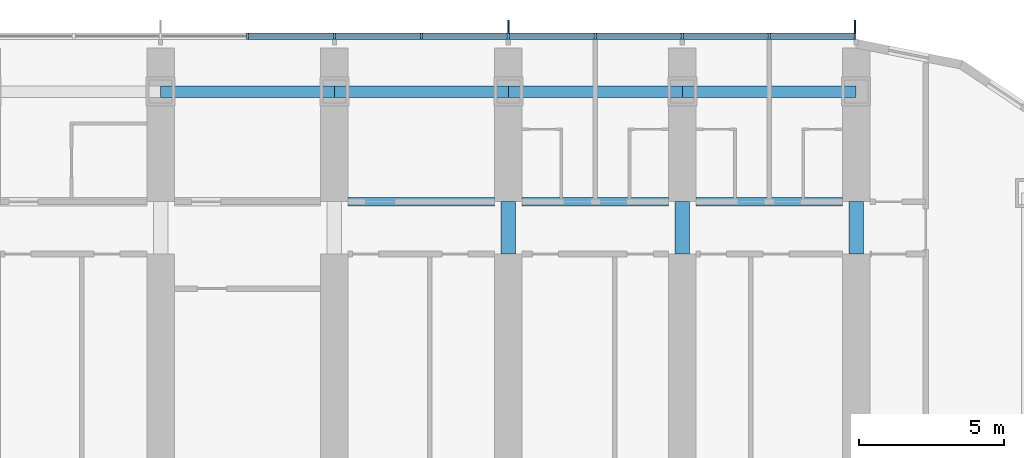
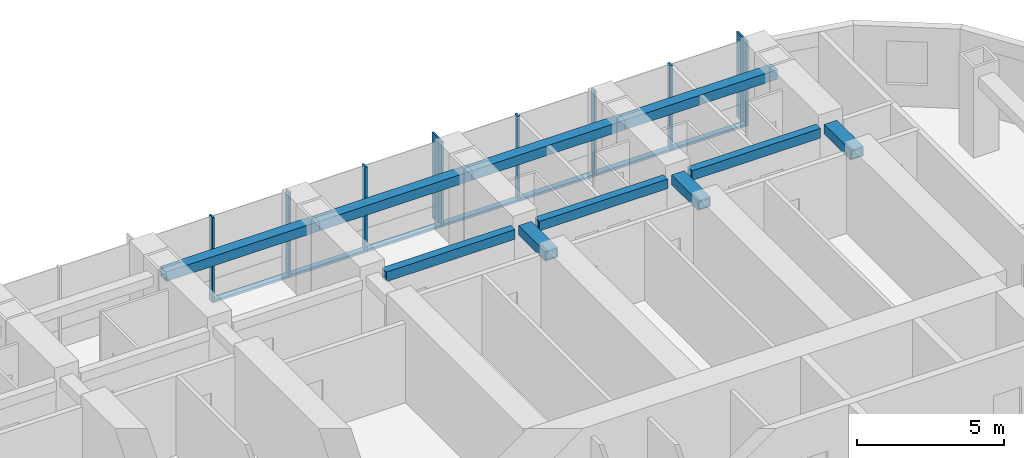
# One storey, part 5 of 22: 17 members, 10 beams, 1 element without a shape of its own.
"""IFC4 building model written with IfcOpenShell, lengths in metres."""

from ifc_helpers import new_model, si_unit, direction, frame, origin, origin_2d, place, context, subcontext, project, spatial, rectangle, hollow_rectangle, extrude, material, material_profile, profile_set, type_object, element, aggregate, save


model = new_model("IFC4")

# Units and contexts
model_context = context("Model", 3, precision=1e-05, world=origin(), true_north=direction((0.0, 1.0)))
body_context = subcontext(model_context, "Body", "Model", "MODEL_VIEW")
ifc_project = project(units=[si_unit("LENGTHUNIT", "METRE"), si_unit("AREAUNIT", "SQUARE_METRE"), si_unit("VOLUMEUNIT", "CUBIC_METRE"), si_unit("PLANEANGLEUNIT", "RADIAN"), si_unit("MASSUNIT", "GRAM", prefix="KILO")], contexts=[model_context])

# Site, building, storey
site_placement = place(None, origin())
site = spatial("IfcSite", under=ifc_project, at=site_placement, CompositionType="ELEMENT")
building_placement = place(site_placement, origin())
building = spatial("IfcBuilding", under=site, at=building_placement, Name="Orbita Commons", CompositionType="ELEMENT")
storey_placement = place(building_placement, frame((0.0, 0.0, 80.64990234375)))
storey = spatial("IfcBuildingStorey", under=building, at=storey_placement, Name="L19", CompositionType="ELEMENT", Elevation=80.64990234375)

# Curtain wall, members
ifc_material_1 = material(Name="Anodised aluminium frame, pale silver", Category="aluminium")
curtain_wall_type = type_object("IfcCurtainWallType", Name="Unitised curtain wall CW-T, vision and spandrel", PredefinedType="NOTDEFINED", material=ifc_material_1)
curtain_wall_placement = place(storey_placement, origin())
curtain_wall = element("IfcCurtainWall", 1, at=curtain_wall_placement, inside=storey, type_object=curtain_wall_type, Name="Curtain wall north L19", PredefinedType="NOTDEFINED")
ifc_material_2 = material(Name="Anodised aluminium, pale silver", Category="aluminium")
ifc_material_profile_1 = material_profile(ifc_material_2, rectangle(XDim=0.080078125, YDim=0.219970703125, at=origin_2d()), Name="AL 80x220")
ifc_profile_set_1 = profile_set([ifc_material_profile_1], Name="Anodised aluminium, pale silver")
member_type_1 = type_object("IfcMemberType", Name="Curtain wall mullion 80x220", PredefinedType="MULLION", material=ifc_profile_set_1)
member_1_placement = place(storey_placement, frame((65.9599609375, 55.510009765625, -0.25), z_axis=(0.0, 0.0, 1.0), x_axis=(-1.0, 0.0, 0.0)))
member_1 = element("IfcMember", 2, at=member_1_placement, type_object=member_type_1, Name="Mullion 1 CW-L19-N", PredefinedType="MULLION", context=body_context, shape_type="SweptSolid", body=[
    extrude(rectangle(XDim=0.080078125, YDim=0.219970703125, at=origin_2d()), origin(), (0.0, 0.0, 1.0), 3.550048828125),
])
member_2_placement = place(storey_placement, frame((63.0, 55.510009765625, -0.25), z_axis=(0.0, 0.0, 1.0), x_axis=(-1.0, 0.0, 0.0)))
member_2 = element("IfcMember", 3, at=member_2_placement, type_object=member_type_1, Name="Mullion 2 CW-L19-N", PredefinedType="MULLION", context=body_context, shape_type="SweptSolid", body=[
    extrude(rectangle(XDim=0.080078125, YDim=0.219970703125, at=origin_2d()), origin(), (0.0, 0.0, 1.0), 3.550048828125),
])
member_3_placement = place(storey_placement, frame((60.0, 55.510009765625, -0.25), z_axis=(0.0, 0.0, 1.0), x_axis=(-1.0, 0.0, 0.0)))
member_3 = element("IfcMember", 4, at=member_3_placement, type_object=member_type_1, Name="Mullion 3 CW-L19-N", PredefinedType="MULLION", context=body_context, shape_type="SweptSolid", body=[
    extrude(rectangle(XDim=0.080078125, YDim=0.219970703125, at=origin_2d()), origin(), (0.0, 0.0, 1.0), 3.550048828125),
])
member_4_placement = place(storey_placement, frame((57.0, 55.510009765625, -0.25), z_axis=(0.0, 0.0, 1.0), x_axis=(-1.0, 0.0, 0.0)))
member_4 = element("IfcMember", 5, at=member_4_placement, type_object=member_type_1, Name="Mullion 4 CW-L19-N", PredefinedType="MULLION", context=body_context, shape_type="SweptSolid", body=[
    extrude(rectangle(XDim=0.080078125, YDim=0.219970703125, at=origin_2d()), origin(), (0.0, 0.0, 1.0), 3.550048828125),
])
member_5_placement = place(storey_placement, frame((54.0, 55.510009765625, -0.25), z_axis=(0.0, 0.0, 1.0), x_axis=(-1.0, 0.0, 0.0)))
member_5 = element("IfcMember", 6, at=member_5_placement, type_object=member_type_1, Name="Mullion 5 CW-L19-N", PredefinedType="MULLION", context=body_context, shape_type="SweptSolid", body=[
    extrude(rectangle(XDim=0.080078125, YDim=0.219970703125, at=origin_2d()), origin(), (0.0, 0.0, 1.0), 3.550048828125),
])
member_6_placement = place(storey_placement, frame((51.0, 55.510009765625, -0.25), z_axis=(0.0, 0.0, 1.0), x_axis=(-1.0, 0.0, 0.0)))
member_6 = element("IfcMember", 7, at=member_6_placement, type_object=member_type_1, Name="Mullion 6 CW-L19-N", PredefinedType="MULLION", context=body_context, shape_type="SweptSolid", body=[
    extrude(rectangle(XDim=0.080078125, YDim=0.219970703125, at=origin_2d()), origin(), (0.0, 0.0, 1.0), 3.550048828125),
])
member_7_placement = place(storey_placement, frame((48.0, 55.510009765625, -0.25), z_axis=(0.0, 0.0, 1.0), x_axis=(-1.0, 0.0, 0.0)))
member_7 = element("IfcMember", 8, at=member_7_placement, type_object=member_type_1, Name="Mullion 7 CW-L19-N", PredefinedType="MULLION", context=body_context, shape_type="SweptSolid", body=[
    extrude(rectangle(XDim=0.080078125, YDim=0.219970703125, at=origin_2d()), origin(), (0.0, 0.0, 1.0), 3.550048828125),
])
member_8_placement = place(storey_placement, frame((45.0, 55.510009765625, -0.25), z_axis=(0.0, 0.0, 1.0), x_axis=(-1.0, 0.0, 0.0)))
member_8 = element("IfcMember", 9, at=member_8_placement, type_object=member_type_1, Name="Mullion 8 CW-L19-N", PredefinedType="MULLION", context=body_context, shape_type="SweptSolid", body=[
    extrude(rectangle(XDim=0.080078125, YDim=0.219970703125, at=origin_2d()), origin(), (0.0, 0.0, 1.0), 3.550048828125),
])
ifc_material_3 = material(Name="Anodised aluminium, pale silver", Category="aluminium")
ifc_material_profile_2 = material_profile(ifc_material_3, rectangle(XDim=0.219970703125, YDim=0.10009765625, at=origin_2d()), Name="AL 220x100")
ifc_profile_set_2 = profile_set([ifc_material_profile_2], Name="Anodised aluminium, pale silver")
member_type_2 = type_object("IfcMemberType", Name="Curtain wall stack transom 220x100", PredefinedType="USERDEFINED", material=ifc_profile_set_2)
member_9_placement = place(storey_placement, frame((65.919921875, 55.510009765625, -0.199951171875), z_axis=(-1.0, 0.0, 0.0), x_axis=(0.0, -1.0, 0.0)))
member_9 = element("IfcMember", 10, at=member_9_placement, type_object=member_type_2, Name="Transom 1.1 CW-L19-N", ObjectType="TRANSOM", PredefinedType="USERDEFINED", context=body_context, shape_type="SweptSolid", body=[
    extrude(rectangle(XDim=0.219970703125, YDim=0.10009765625, at=origin_2d()), origin(), (0.0, 0.0, 1.0), 2.8798828125),
])
member_10_placement = place(storey_placement, frame((62.9599609375, 55.510009765625, -0.199951171875), z_axis=(-1.0, 0.0, 0.0), x_axis=(0.0, -1.0, 0.0)))
member_10 = element("IfcMember", 11, at=member_10_placement, type_object=member_type_2, Name="Transom 2.1 CW-L19-N", ObjectType="TRANSOM", PredefinedType="USERDEFINED", context=body_context, shape_type="SweptSolid", body=[
    extrude(rectangle(XDim=0.219970703125, YDim=0.10009765625, at=origin_2d()), origin(), (0.0, 0.0, 1.0), 2.919921875),
])
member_11_placement = place(storey_placement, frame((59.9599609375, 55.510009765625, -0.199951171875), z_axis=(-1.0, 0.0, 0.0), x_axis=(0.0, -1.0, 0.0)))
member_11 = element("IfcMember", 12, at=member_11_placement, type_object=member_type_2, Name="Transom 3.1 CW-L19-N", ObjectType="TRANSOM", PredefinedType="USERDEFINED", context=body_context, shape_type="SweptSolid", body=[
    extrude(rectangle(XDim=0.219970703125, YDim=0.10009765625, at=origin_2d()), origin(), (0.0, 0.0, 1.0), 2.919921875),
])
member_12_placement = place(storey_placement, frame((56.9599609375, 55.510009765625, -0.199951171875), z_axis=(-1.0, 0.0, 0.0), x_axis=(0.0, -1.0, 0.0)))
member_12 = element("IfcMember", 13, at=member_12_placement, type_object=member_type_2, Name="Transom 4.1 CW-L19-N", ObjectType="TRANSOM", PredefinedType="USERDEFINED", context=body_context, shape_type="SweptSolid", body=[
    extrude(rectangle(XDim=0.219970703125, YDim=0.10009765625, at=origin_2d()), origin(), (0.0, 0.0, 1.0), 2.919921875),
])
member_13_placement = place(storey_placement, frame((53.9599609375, 55.510009765625, -0.199951171875), z_axis=(-1.0, 0.0, 0.0), x_axis=(0.0, -1.0, 0.0)))
member_13 = element("IfcMember", 14, at=member_13_placement, type_object=member_type_2, Name="Transom 5.1 CW-L19-N", ObjectType="TRANSOM", PredefinedType="USERDEFINED", context=body_context, shape_type="SweptSolid", body=[
    extrude(rectangle(XDim=0.219970703125, YDim=0.10009765625, at=origin_2d()), origin(), (0.0, 0.0, 1.0), 2.919921875),
])
member_14_placement = place(storey_placement, frame((50.9599609375, 55.510009765625, -0.199951171875), z_axis=(-1.0, 0.0, 0.0), x_axis=(0.0, -1.0, 0.0)))
member_14 = element("IfcMember", 15, at=member_14_placement, type_object=member_type_2, Name="Transom 6.1 CW-L19-N", ObjectType="TRANSOM", PredefinedType="USERDEFINED", context=body_context, shape_type="SweptSolid", body=[
    extrude(rectangle(XDim=0.219970703125, YDim=0.10009765625, at=origin_2d()), origin(), (0.0, 0.0, 1.0), 2.919921875),
])
member_15_placement = place(storey_placement, frame((47.9599609375, 55.510009765625, -0.199951171875), z_axis=(-1.0, 0.0, 0.0), x_axis=(0.0, -1.0, 0.0)))
member_15 = element("IfcMember", 16, at=member_15_placement, type_object=member_type_2, Name="Transom 7.1 CW-L19-N", ObjectType="TRANSOM", PredefinedType="USERDEFINED", context=body_context, shape_type="SweptSolid", body=[
    extrude(rectangle(XDim=0.219970703125, YDim=0.10009765625, at=origin_2d()), origin(), (0.0, 0.0, 1.0), 2.919921875),
])

# Beams
ifc_material_4 = material(Name="Steel ASTM A572 Gr 50 welded plate", Category="steel")
ifc_material_profile_3 = material_profile(ifc_material_4, hollow_rectangle(XDim=0.300048828125, YDim=0.39990234375, WallThickness=0.0400390625, at=origin_2d()), Name="BOX 400x300x40")
ifc_profile_set_3 = profile_set([ifc_material_profile_3], Name="Steel ASTM A572 Gr 50 welded plate")
beam_type_1 = type_object("IfcBeamType", Name="Steel corridor link BOX 400x300x40", PredefinedType="BEAM", material=ifc_profile_set_3)
for number, where, z_axis, x_axis, name in (
    (17, (48.47509765625, 49.800048828125, 3.10009765625), (1.0, 0.0, 0.0), (0.0, 1.0, 0.0), "Corridor beam NB 9-10 L19"),
    (18, (54.47509765625, 49.800048828125, 3.10009765625), (1.0, 0.0, 0.0), (0.0, 1.0, 0.0), "Corridor beam NB 10-11 L19"),
    (19, (60.47509765625, 49.800048828125, 3.10009765625), (1.0, 0.0, 0.0), (0.0, 1.0, 0.0), "Corridor beam NB 11-12 L19"),
):
    element("IfcBeam", number, at=place(storey_placement, frame(where, z_axis=z_axis, x_axis=x_axis)), inside=storey, type_object=beam_type_1, Name=name, PredefinedType="BEAM", context=body_context, shape_type="SweptSolid", body=[
        extrude(hollow_rectangle(XDim=0.300048828125, YDim=0.39990234375, WallThickness=0.0400390625, at=origin_2d()), origin(), (0.0, 0.0, 1.0), 5.0498046875),
    ])
ifc_material_5 = material(Name="Steel ASTM A572 Gr 50 welded plate", Category="steel")
ifc_material_profile_4 = material_profile(ifc_material_5, hollow_rectangle(XDim=0.5, YDim=0.39990234375, WallThickness=0.050048828125, at=origin_2d()), Name="BOX 400x500x50")
ifc_profile_set_4 = profile_set([ifc_material_profile_4], Name="Steel ASTM A572 Gr 50 welded plate")
beam_type_2 = type_object("IfcBeamType", Name="Steel coupling link BOX 400x500x50", PredefinedType="LINTEL", material=ifc_profile_set_4)
for number, where, z_axis, x_axis, name in (
    (20, (54.0, 48.0, 3.10009765625), (0.0, 1.0, 0.0), (-1.0, 0.0, 0.0), "Coupling beam 10 north L19"),
    (21, (60.0, 48.0, 3.10009765625), (0.0, 1.0, 0.0), (-1.0, 0.0, 0.0), "Coupling beam 11 north L19"),
    (22, (66.0, 48.0, 3.10009765625), (0.0, 1.0, 0.0), (-1.0, 0.0, 0.0), "Coupling beam 12 north L19"),
):
    element("IfcBeam", number, at=place(storey_placement, frame(where, z_axis=z_axis, x_axis=x_axis)), inside=storey, type_object=beam_type_2, Name=name, PredefinedType="LINTEL", context=body_context, shape_type="SweptSolid", body=[
        extrude(hollow_rectangle(XDim=0.5, YDim=0.39990234375, WallThickness=0.050048828125, at=origin_2d()), origin(), (0.0, 0.0, 1.0), 1.800048828125),
    ])
ifc_material_6 = material(Name="Steel ASTM A572 Gr 50 welded plate", Category="steel")
ifc_material_profile_5 = material_profile(ifc_material_6, hollow_rectangle(XDim=0.39990234375, YDim=0.39990234375, WallThickness=0.0400390625, at=origin_2d()), Name="BOX 400x400x40")
ifc_profile_set_5 = profile_set([ifc_material_profile_5], Name="Steel ASTM A572 Gr 50 welded plate")
beam_type_3 = type_object("IfcBeamType", Name="Steel spandrel BOX 400x400x40", PredefinedType="SPANDREL", material=ifc_profile_set_5)
for number, where, z_axis, x_axis, name in (
    (23, (42.0, 53.60009765625, 3.10009765625), (1.0, 0.0, 0.0), (0.0, 1.0, 0.0), "Spandrel beam E 8-9 L19"),
    (24, (48.0, 53.60009765625, 3.10009765625), (1.0, 0.0, 0.0), (0.0, 1.0, 0.0), "Spandrel beam E 9-10 L19"),
    (25, (54.0, 53.60009765625, 3.10009765625), (1.0, 0.0, 0.0), (0.0, 1.0, 0.0), "Spandrel beam E 10-11 L19"),
    (26, (60.0, 53.60009765625, 3.10009765625), (1.0, 0.0, 0.0), (0.0, 1.0, 0.0), "Spandrel beam E 11-12 L19"),
):
    element("IfcBeam", number, at=place(storey_placement, frame(where, z_axis=z_axis, x_axis=x_axis)), inside=storey, type_object=beam_type_3, Name=name, PredefinedType="SPANDREL", context=body_context, shape_type="SweptSolid", body=[
        extrude(hollow_rectangle(XDim=0.39990234375, YDim=0.39990234375, WallThickness=0.0400390625, at=origin_2d()), origin(), (0.0, 0.0, 1.0), 6.0),
    ])

# Member
ifc_material_7 = material(Name="Anodised aluminium, pale silver", Category="aluminium")
ifc_material_profile_6 = material_profile(ifc_material_7, rectangle(XDim=0.06005859375, YDim=0.449951171875, at=origin_2d()), Name="FIN 60x450")
ifc_profile_set_6 = profile_set([ifc_material_profile_6], Name="Anodised aluminium, pale silver")
member_type_3 = type_object("IfcMemberType", Name="Vertical fin 60x450 pale aluminium", PredefinedType="USERDEFINED", material=ifc_profile_set_6)
member_16_placement = place(storey_placement, frame((65.9599609375, 55.844970703125, -0.25), z_axis=(0.0, 0.0, 1.0), x_axis=(-1.0, 0.0, 0.0)))
member_16 = element("IfcMember", 27, at=member_16_placement, type_object=member_type_3, Name="Fin 1 CW-L19-N", ObjectType="FIN", PredefinedType="USERDEFINED", context=body_context, shape_type="SweptSolid", body=[
    extrude(rectangle(XDim=0.06005859375, YDim=0.449951171875, at=origin_2d()), origin(), (0.0, 0.0, 1.0), 3.550048828125),
])

member_17_placement = place(storey_placement, frame((54.0, 55.844970703125, -0.25), z_axis=(0.0, 0.0, 1.0), x_axis=(-1.0, 0.0, 0.0)))
member_17 = element("IfcMember", 28, at=member_17_placement, type_object=member_type_3, Name="Fin 5 CW-L19-N", ObjectType="FIN", PredefinedType="USERDEFINED", context=body_context, shape_type="SweptSolid", body=[
    extrude(rectangle(XDim=0.06005859375, YDim=0.449951171875, at=origin_2d()), origin(), (0.0, 0.0, 1.0), 3.550048828125),
])

aggregate(curtain_wall, [member_1, member_16, member_2, member_3, member_4, member_5, member_17, member_6, member_7, member_8, member_9, member_10, member_11, member_12, member_13, member_14, member_15])

save(model, "model.ifc")
